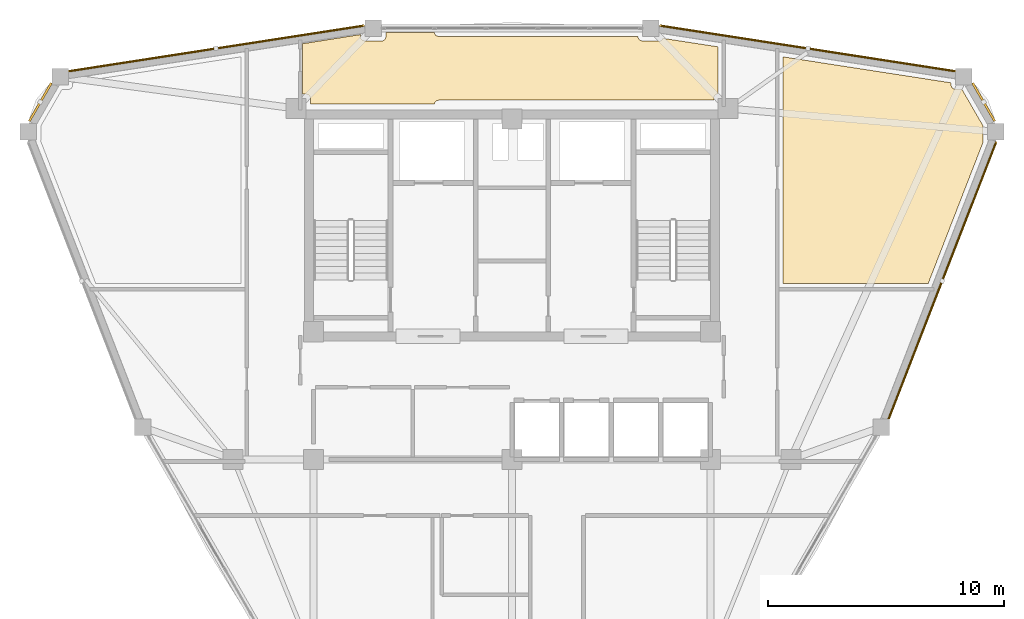
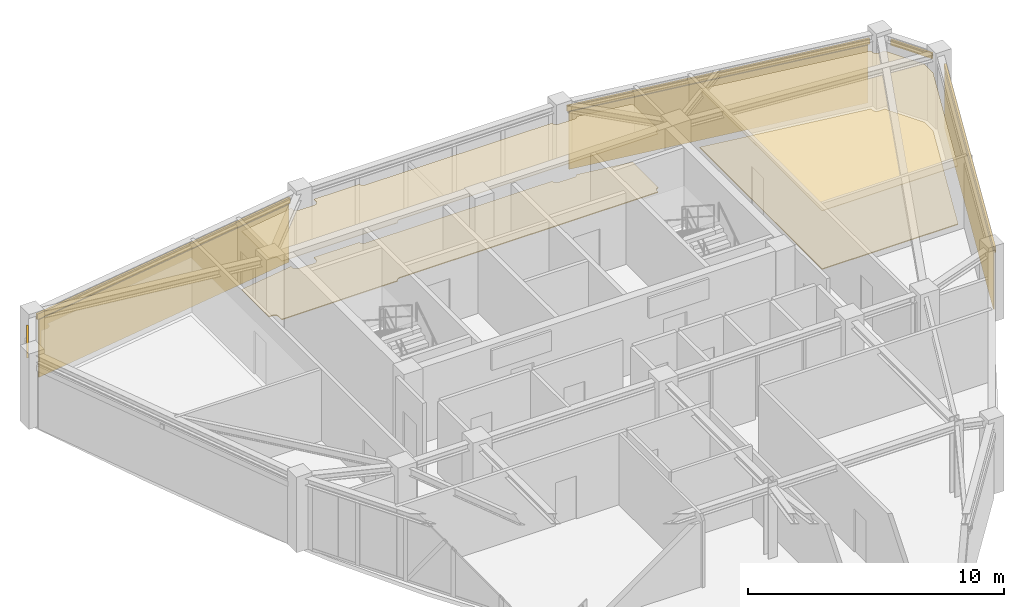
# One storey, part 15 of 15: 7 coverings, 5 shading devices.
"""IFC4 building model written with IfcOpenShell, lengths in metres."""

from ifc_helpers import new_model, si_unit, derived_unit, direction, frame, origin, origin_2d, place, context, subcontext, project, spatial, polyline, hollow_rectangle, outline, extrude, source, transform, mapped, material, layer, layer_set, material_profile, profile_set, type_object, element, save


model = new_model("IFC4")

# Units and contexts
model_context = context("Model", 3, precision=1e-05, world=origin(), true_north=direction((0.0, 1.0)))
body_context = subcontext(model_context, "Body", "Model", "MODEL_VIEW")
ifc_project = project(units=[si_unit("LENGTHUNIT", "METRE"), si_unit("AREAUNIT", "SQUARE_METRE"), si_unit("VOLUMEUNIT", "CUBIC_METRE"), si_unit("PLANEANGLEUNIT", "RADIAN"), si_unit("MASSUNIT", "GRAM", prefix="KILO"), derived_unit("THERMALTRANSMITTANCEUNIT", [(si_unit("POWERUNIT", "WATT"), 1), (si_unit("LENGTHUNIT", "METRE"), -2), (si_unit("THERMODYNAMICTEMPERATUREUNIT", "KELVIN"), -1)])], contexts=[model_context])

# Site, building, storey
site_placement = place(None, origin())
site = spatial("IfcSite", under=ifc_project, at=site_placement, CompositionType="ELEMENT")
building_placement = place(site_placement, origin())
building = spatial("IfcBuilding", under=site, at=building_placement, Name="Korsvarv Bourse and Concert Hall", CompositionType="ELEMENT")
storey_placement = place(building_placement, frame((0.0, 0.0, 268.199951171875)))
storey = spatial("IfcBuildingStorey", under=building, at=storey_placement, Name="L70", CompositionType="ELEMENT", Elevation=268.199951171875)

# Coverings
ifc_material_1 = material(Name="Perforated mineral-wool and birch acoustic baffle ceiling", Category="wood")
ifc_layer_1 = layer(ifc_material_1, 0.02490234375)
ifc_layer_set_1 = layer_set([ifc_layer_1], Name="Perforated mineral-wool and birch acoustic baffle ceiling")
covering_type_1 = type_object("IfcCoveringType", Name="COV-CEIL-1", PredefinedType="CEILING", material=ifc_layer_set_1)
covering_1_placement = place(storey_placement, frame((0.0, 0.0, 2.7900390625)))
element("IfcCovering", 1, at=covering_1_placement, inside=storey, type_object=covering_type_1, Name="L70 acoustic baffle ceiling 2", PredefinedType="CEILING", context=body_context, shape_type="SweptSolid", body=[
    extrude(outline(polyline([(54.587890625, 48.248046875), (54.59130859375, 48.21337890625), (54.601318359375, 48.18017578125), (54.617431640625, 48.1494140625), (54.63916015625, 48.122314453125), (54.66552734375, 48.10009765625), (54.69580078125, 48.0830078125), (54.72900390625, 48.072265625), (54.76318359375, 48.068115234375), (55.045654296875, 48.060791015625), (55.93408203125, 46.521484375), (55.93408203125, 45.916259765625), (55.9375, 45.88134765625), (55.947509765625, 45.848876953125), (53.61865234375, 39.85009765625), (47.47998046875, 39.85009765625), (47.47998046875, 49.435791015625), (54.587890625, 48.33740234375), (54.587890625, 48.248046875)])), origin(), (0.0, 0.0, 1.0), 0.02490234375),
])
covering_2_placement = place(storey_placement, frame((0.0, 0.0, 2.7900390625)))
element("IfcCovering", 2, at=covering_2_placement, inside=storey, type_object=covering_type_1, Name="L70 acoustic baffle ceiling 3", PredefinedType="CEILING", context=body_context, shape_type="SweptSolid", body=[
    extrude(outline(polyline([(29.590576171875, 50.381103515625), (29.590576171875, 50.296630859375), (29.593994140625, 50.261962890625), (29.60400390625, 50.228515625), (29.620361328125, 50.197509765625), (29.642333984375, 50.17041015625), (29.669189453125, 50.14794921875), (29.699951171875, 50.131103515625), (29.733154296875, 50.12060546875), (29.76806640625, 50.11669921875), (30.47802734375, 50.106689453125), (30.5126953125, 50.109619140625), (30.54638671875, 50.119140625), (30.57763671875, 50.135009765625), (30.60498046875, 50.15673828125), (30.6279296875, 50.183349609375), (30.64501953125, 50.2138671875), (30.656005859375, 50.2470703125), (30.660400390625, 50.28173828125), (30.66552734375, 50.466796875), (32.711181640625, 50.466796875), (32.7158203125, 50.44140625), (32.728515625, 50.407470703125), (32.747802734375, 50.37646484375), (32.772705078125, 50.35009765625), (32.802734375, 50.329345703125), (32.836181640625, 50.31494140625), (32.871826171875, 50.3076171875), (41.32958984375, 50.306640625), (41.330322265625, 50.279296875), (41.337158203125, 50.244873046875), (41.350341796875, 50.21240234375), (41.36962890625, 50.183349609375), (41.394287109375, 50.158447265625), (41.423095703125, 50.138916015625), (41.455322265625, 50.125), (41.489501953125, 50.117919921875), (42.217041015625, 50.106689453125), (42.253173828125, 50.10986328125), (42.287841796875, 50.1201171875), (42.31982421875, 50.13720703125), (42.347900390625, 50.160400390625), (42.37060546875, 50.188720703125), (42.38720703125, 50.22119140625), (44.7099609375, 49.86376953125), (44.7099609375, 47.8642578125), (44.674072265625, 47.857666015625), (44.64208984375, 47.8447265625), (44.613037109375, 47.825927734375), (44.58837890625, 47.802001953125), (44.568603515625, 47.77392578125), (44.554443359375, 47.742431640625), (44.546630859375, 47.708984375), (44.541748046875, 47.60009765625), (32.889892578125, 47.60009765625), (32.853759765625, 47.59619140625), (32.819091796875, 47.58544921875), (32.787109375, 47.567626953125), (32.759521484375, 47.5439453125), (32.7373046875, 47.51513671875), (32.72119140625, 47.482421875), (32.712158203125, 47.447265625), (27.465087890625, 47.43994140625), (27.465087890625, 47.675048828125), (27.461669921875, 47.70947265625), (27.451904296875, 47.74267578125), (27.435791015625, 47.773193359375), (27.414306640625, 47.80029296875), (27.3876953125, 47.82275390625), (27.357666015625, 47.839599609375), (27.32470703125, 47.8505859375), (27.290283203125, 47.85498046875), (27.1298828125, 47.859619140625), (27.1298828125, 49.9912109375), (29.590576171875, 50.381103515625)])), origin(), (0.0, 0.0, 1.0), 0.02490234375),
])
ifc_material_2 = material(Name="Warm iron-oxide extruded terracotta rainscreen tile", Category="ceramic")
ifc_layer_2 = layer(ifc_material_2, 0.044921875)
ifc_layer_set_2 = layer_set([ifc_layer_2], Name="Warm iron-oxide extruded terracotta rainscreen tile")
covering_type_2 = type_object("IfcCoveringType", Name="COV-CLD-TC", PredefinedType="CLADDING", material=ifc_layer_set_2)
covering_3_placement = place(storey_placement, origin())
element("IfcCovering", 3, at=covering_3_placement, inside=storey, type_object=covering_type_2, Name="L70 fluted terracotta cladding panel EW-L70-B02", PredefinedType="CLADDING", context=body_context, shape_type="SweptSolid", body=[
    extrude(outline(polyline([(54.714599609375, 48.798583984375), (42.32421875, 50.712890625), (42.3310546875, 50.757568359375), (54.721435546875, 48.843017578125), (54.714599609375, 48.798583984375)])), origin(), (0.0, 0.0, 1.0), 2.760009765625),
])
covering_4_placement = place(storey_placement, origin())
element("IfcCovering", 4, at=covering_4_placement, inside=storey, type_object=covering_type_2, Name="L70 fluted terracotta cladding panel EW-L70-B04", PredefinedType="CLADDING", context=body_context, shape_type="SweptSolid", body=[
    extrude(outline(polyline([(29.67578125, 50.712890625), (17.285400390625, 48.798583984375), (17.278564453125, 48.843017578125), (29.6689453125, 50.757568359375), (29.67578125, 50.712890625)])), origin(), (0.0, 0.0, 1.0), 2.760009765625),
])
covering_5_placement = place(storey_placement, origin())
element("IfcCovering", 5, at=covering_5_placement, inside=storey, type_object=covering_type_2, Name="L70 fluted terracotta cladding panel EW-L70-B12", PredefinedType="CLADDING", context=body_context, shape_type="SweptSolid", body=[
    extrude(outline(polyline([(51.911865234375, 34.140380859375), (56.433349609375, 45.787841796875), (56.47509765625, 45.771484375), (51.953857421875, 34.124267578125), (51.911865234375, 34.140380859375)])), origin(), (0.0, 0.0, 1.0), 2.760009765625),
])
ifc_material_3 = material(Name="Calcium-sulphate raised access trading floor with Nordic oak top", Category="wood")
ifc_layer_3 = layer(ifc_material_3, 0.0400390625)
ifc_layer_set_3 = layer_set([ifc_layer_3], Name="Calcium-sulphate raised access trading floor with Nordic oak top")
covering_type_3 = type_object("IfcCoveringType", Name="COV-FLOR-1", PredefinedType="FLOORING", material=ifc_layer_set_3)
covering_6_placement = place(storey_placement, origin())
element("IfcCovering", 6, at=covering_6_placement, inside=storey, type_object=covering_type_3, Name="L70 raised access oak floor finish 2", PredefinedType="FLOORING", context=body_context, shape_type="SweptSolid", body=[
    extrude(outline(polyline([(54.587890625, 48.248046875), (54.59130859375, 48.21337890625), (54.601318359375, 48.18017578125), (54.617431640625, 48.1494140625), (54.63916015625, 48.122314453125), (54.66552734375, 48.10009765625), (54.69580078125, 48.0830078125), (54.72900390625, 48.072265625), (54.76318359375, 48.068115234375), (55.045654296875, 48.060791015625), (55.93408203125, 46.521484375), (55.93408203125, 45.916259765625), (55.9375, 45.88134765625), (55.947509765625, 45.848876953125), (53.61865234375, 39.85009765625), (47.47998046875, 39.85009765625), (47.47998046875, 49.435791015625), (54.587890625, 48.33740234375), (54.587890625, 48.248046875)])), origin(), (0.0, 0.0, 1.0), 0.0400390625),
])
covering_7_placement = place(storey_placement, origin())
element("IfcCovering", 7, at=covering_7_placement, inside=storey, type_object=covering_type_3, Name="L70 raised access oak floor finish 3", PredefinedType="FLOORING", context=body_context, shape_type="SweptSolid", body=[
    extrude(outline(polyline([(29.590576171875, 50.381103515625), (29.590576171875, 50.296630859375), (29.593994140625, 50.261962890625), (29.60400390625, 50.228515625), (29.620361328125, 50.197509765625), (29.642333984375, 50.17041015625), (29.669189453125, 50.14794921875), (29.699951171875, 50.131103515625), (29.733154296875, 50.12060546875), (29.76806640625, 50.11669921875), (30.47802734375, 50.106689453125), (30.5126953125, 50.109619140625), (30.54638671875, 50.119140625), (30.57763671875, 50.135009765625), (30.60498046875, 50.15673828125), (30.6279296875, 50.183349609375), (30.64501953125, 50.2138671875), (30.656005859375, 50.2470703125), (30.660400390625, 50.28173828125), (30.66552734375, 50.466796875), (32.711181640625, 50.466796875), (32.7158203125, 50.44140625), (32.728515625, 50.407470703125), (32.747802734375, 50.37646484375), (32.772705078125, 50.35009765625), (32.802734375, 50.329345703125), (32.836181640625, 50.31494140625), (32.871826171875, 50.3076171875), (41.32958984375, 50.306640625), (41.330322265625, 50.279296875), (41.337158203125, 50.244873046875), (41.350341796875, 50.21240234375), (41.36962890625, 50.183349609375), (41.394287109375, 50.158447265625), (41.423095703125, 50.138916015625), (41.455322265625, 50.125), (41.489501953125, 50.117919921875), (42.217041015625, 50.106689453125), (42.253173828125, 50.10986328125), (42.287841796875, 50.1201171875), (42.31982421875, 50.13720703125), (42.347900390625, 50.160400390625), (42.37060546875, 50.188720703125), (42.38720703125, 50.22119140625), (44.7099609375, 49.86376953125), (44.7099609375, 47.8642578125), (44.674072265625, 47.857666015625), (44.64208984375, 47.8447265625), (44.613037109375, 47.825927734375), (44.58837890625, 47.802001953125), (44.568603515625, 47.77392578125), (44.554443359375, 47.742431640625), (44.546630859375, 47.708984375), (44.541748046875, 47.60009765625), (32.889892578125, 47.60009765625), (32.853759765625, 47.59619140625), (32.819091796875, 47.58544921875), (32.787109375, 47.567626953125), (32.759521484375, 47.5439453125), (32.7373046875, 47.51513671875), (32.72119140625, 47.482421875), (32.712158203125, 47.447265625), (27.465087890625, 47.43994140625), (27.465087890625, 47.675048828125), (27.461669921875, 47.70947265625), (27.451904296875, 47.74267578125), (27.435791015625, 47.773193359375), (27.414306640625, 47.80029296875), (27.3876953125, 47.82275390625), (27.357666015625, 47.839599609375), (27.32470703125, 47.8505859375), (27.290283203125, 47.85498046875), (27.1298828125, 47.859619140625), (27.1298828125, 49.9912109375), (29.590576171875, 50.381103515625)])), origin(), (0.0, 0.0, 1.0), 0.0400390625),
])

# Shading devices
ifc_material_4 = material(Name="Glazed extruded architectural terracotta", Category="ceramic")
ifc_material_profile = material_profile(ifc_material_4, hollow_rectangle(XDim=0.090087890625, YDim=0.260009765625, WallThickness=0.011962890625, at=origin_2d()), Name="TC-BAG 90x260")
ifc_profile_set = profile_set([ifc_material_profile], Name="Glazed extruded architectural terracotta")
shading_device_type = type_object("IfcShadingDeviceType", Name="SHD-BAG-1", PredefinedType="USERDEFINED", material=ifc_profile_set)
shared_shape_1 = source(origin(), body_context, "Body", "SweptSolid", [
    extrude(hollow_rectangle(XDim=0.090087890625, YDim=0.260009765625, WallThickness=0.011962890625, at=origin_2d()), origin(), (0.0, 0.0, 1.0), 1.87255859375),
])
for number, where, z_axis, x_axis, name in (
    (8, (56.429443359375, 46.7138671875, 2.920166015625), (-0.500023421257, 0.866011881093, 0.0), (-0.866011881093, -0.500023421257, 0.0), "L70 terracotta baguette sunshade EW-L70-B01"),
    (9, (16.5068359375, 48.33544921875, 2.920166015625), (-0.500023421257, -0.866011881093, 0.0), (0.866011881093, -0.500023421257, 0.0), "L70 terracotta baguette sunshade EW-L70-B05"),
):
    element("IfcShadingDevice", number, at=place(storey_placement, frame(where, z_axis=z_axis, x_axis=x_axis)), inside=storey, type_object=shading_device_type, Name=name, ObjectType="BAGUETTE", PredefinedType="USERDEFINED", context=body_context, shape_type="MappedRepresentation", body=[
        mapped(shared_shape_1, transform((0.0, 0.0, 0.0), scale=1.0)),
    ])
shared_shape_2 = source(origin(), body_context, "Body", "SweptSolid", [
    extrude(hollow_rectangle(XDim=0.090087890625, YDim=0.260009765625, WallThickness=0.011962890625, at=origin_2d()), origin(), (0.0, 0.0, 1.0), 12.697509765625),
])
for number, where, z_axis, x_axis, name in (
    (10, (54.7998046875, 48.82568359375, 2.920166015625), (-0.988271903044, 0.15270443888, 0.0), (-0.15270443888, -0.988271903044, 0.0), "L70 terracotta baguette sunshade EW-L70-B02"),
    (11, (29.748779296875, 50.7646484375, 2.920166015625), (-0.988271903044, -0.15270443888, 0.0), (0.15270443888, -0.988271903044, 0.0), "L70 terracotta baguette sunshade EW-L70-B04"),
):
    element("IfcShadingDevice", number, at=place(storey_placement, frame(where, z_axis=z_axis, x_axis=x_axis)), inside=storey, type_object=shading_device_type, Name=name, ObjectType="BAGUETTE", PredefinedType="USERDEFINED", context=body_context, shape_type="MappedRepresentation", body=[
        mapped(shared_shape_2, transform((0.0, 0.0, 0.0), scale=1.0)),
    ])
shared_shape_3 = source(origin(), body_context, "Body", "SweptSolid", [
    extrude(hollow_rectangle(XDim=0.090087890625, YDim=0.260009765625, WallThickness=0.011962890625, at=origin_2d()), origin(), (0.0, 0.0, 1.0), 12.654052734375),
])
shading_device_placement = place(storey_placement, frame((51.920166015625, 34.051513671875, 2.920166015625), z_axis=(0.361887564825, 0.932221749599, 0.0), x_axis=(-0.932221749599, 0.361887564825, 0.0)))
element("IfcShadingDevice", 12, at=shading_device_placement, inside=storey, type_object=shading_device_type, Name="L70 terracotta baguette sunshade EW-L70-B12", ObjectType="BAGUETTE", PredefinedType="USERDEFINED", context=body_context, shape_type="MappedRepresentation", body=[
    mapped(shared_shape_3, transform((0.0, 0.0, 0.0), scale=1.0)),
])

save(model, "model.ifc")
